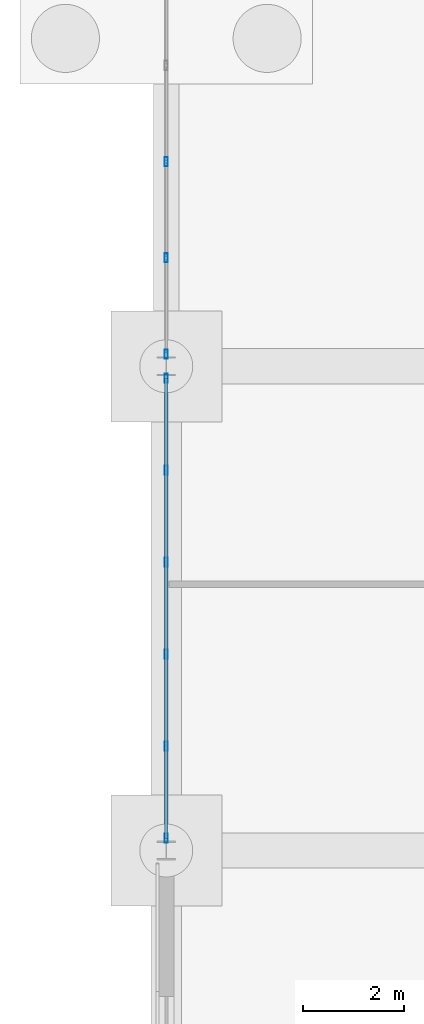
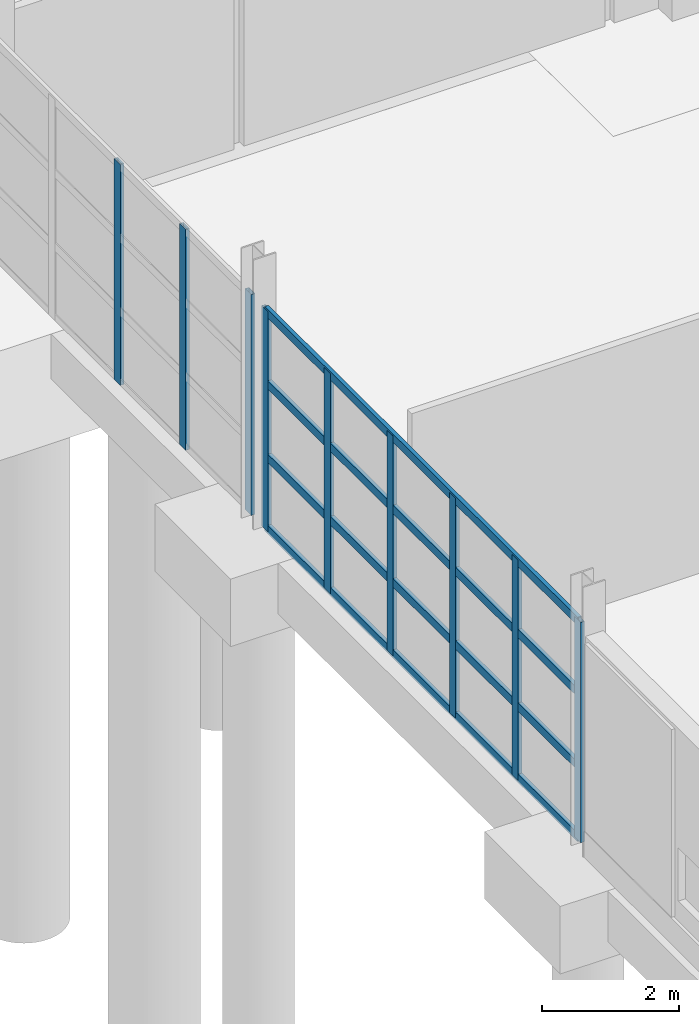
# One storey, part 21 of 82: 13 members, 2 elements without a shape of their own.
"""IFC4 building model written with IfcOpenShell, lengths in metres."""

from ifc_helpers import new_model, si_unit, direction, frame, origin, origin_2d, place, context, subcontext, project, spatial, hollow_rectangle, extrude, material, material_profile, profile_set, type_object, element, aggregate, save


model = new_model("IFC4")

# Units and contexts
model_context = context("Model", 3, precision=1e-05, world=origin(), true_north=direction((0.0, 1.0)))
body_context = subcontext(model_context, "Body", "Model", "MODEL_VIEW")
ifc_project = project(units=[si_unit("LENGTHUNIT", "METRE"), si_unit("AREAUNIT", "SQUARE_METRE"), si_unit("VOLUMEUNIT", "CUBIC_METRE"), si_unit("PLANEANGLEUNIT", "RADIAN"), si_unit("MASSUNIT", "GRAM", prefix="KILO")], contexts=[model_context])

# Site, building, storey
site_placement = place(None, origin())
site = spatial("IfcSite", under=ifc_project, at=site_placement, CompositionType="ELEMENT")
building_placement = place(site_placement, origin())
building = spatial("IfcBuilding", under=site, at=building_placement, Name="Kelmvaro Bay Concert Hall", CompositionType="ELEMENT")
storey_placement = place(building_placement, origin())
storey = spatial("IfcBuildingStorey", under=building, at=storey_placement, Name="L00", CompositionType="ELEMENT", Elevation=0.0)

# Curtain wall, members
ifc_material_1 = material(Name="Anodised Aluminium and Low-E Insulated Glazing", Category="aluminium")
curtain_wall_type = type_object("IfcCurtainWallType", Name="West Link Courtyard Curtain Wall 4000", PredefinedType="USERDEFINED", material=ifc_material_1)
curtain_wall_1_placement = place(storey_placement, origin())
curtain_wall_1 = element("IfcCurtainWall", 1, at=curtain_wall_1_placement, inside=storey, type_object=curtain_wall_type, Name="Unitised Curtain Wall CW-L00-127", ObjectType="UNITISED GLAZING", PredefinedType="USERDEFINED")
ifc_material_2 = material(Name="Anodised Extruded Aluminium 6063-T6", Category="aluminium")
ifc_material_profile_1 = material_profile(ifc_material_2, hollow_rectangle(XDim=0.06494140625, YDim=0.179931640625, WallThickness=0.00390625, at=origin_2d()), Name="ALU-MUL-180X65")
ifc_profile_set_1 = profile_set([ifc_material_profile_1], Name="Anodised Extruded Aluminium 6063-T6")
member_type_1 = type_object("IfcMemberType", Name="Curtain Mullion ALU 180x65", PredefinedType="MULLION", material=ifc_profile_set_1)
member_1_placement = place(storey_placement, frame((0.0, 47.6416015625, 0.0), z_axis=(0.0, 0.0, 1.0), x_axis=(1.0, 0.0, 0.0)))
member_1 = element("IfcMember", 2, at=member_1_placement, type_object=member_type_1, Name="CW-L00-127 Mullion 01", PredefinedType="MULLION", context=body_context, shape_type="SweptSolid", body=[
    extrude(hollow_rectangle(XDim=0.06494140625, YDim=0.179931640625, WallThickness=0.00390625, at=origin_2d()), origin(), (0.0, 0.0, 1.0), 3.9189453125),
])
member_2_placement = place(storey_placement, frame((0.0, 49.46484375, 0.0), z_axis=(0.0, 0.0, 1.0), x_axis=(1.0, 0.0, 0.0)))
member_2 = element("IfcMember", 3, at=member_2_placement, type_object=member_type_1, Name="CW-L00-127 Mullion 02", PredefinedType="MULLION", context=body_context, shape_type="SweptSolid", body=[
    extrude(hollow_rectangle(XDim=0.06494140625, YDim=0.179931640625, WallThickness=0.00390625, at=origin_2d()), origin(), (0.0, 0.0, 1.0), 3.9189453125),
])
member_3_placement = place(storey_placement, frame((0.0, 51.288330078125, 0.0), z_axis=(0.0, 0.0, 1.0), x_axis=(1.0, 0.0, 0.0)))
member_3 = element("IfcMember", 4, at=member_3_placement, type_object=member_type_1, Name="CW-L00-127 Mullion 03", PredefinedType="MULLION", context=body_context, shape_type="SweptSolid", body=[
    extrude(hollow_rectangle(XDim=0.06494140625, YDim=0.179931640625, WallThickness=0.00390625, at=origin_2d()), origin(), (0.0, 0.0, 1.0), 3.9189453125),
])
member_4_placement = place(storey_placement, frame((0.0, 53.11181640625, 0.0), z_axis=(0.0, 0.0, 1.0), x_axis=(1.0, 0.0, 0.0)))
member_4 = element("IfcMember", 5, at=member_4_placement, type_object=member_type_1, Name="CW-L00-127 Mullion 04", PredefinedType="MULLION", context=body_context, shape_type="SweptSolid", body=[
    extrude(hollow_rectangle(XDim=0.06494140625, YDim=0.179931640625, WallThickness=0.00390625, at=origin_2d()), origin(), (0.0, 0.0, 1.0), 3.9189453125),
])
member_5_placement = place(storey_placement, frame((0.0, 54.93505859375, 0.0), z_axis=(0.0, 0.0, 1.0), x_axis=(1.0, 0.0, 0.0)))
member_5 = element("IfcMember", 6, at=member_5_placement, type_object=member_type_1, Name="CW-L00-127 Mullion 05", PredefinedType="MULLION", context=body_context, shape_type="SweptSolid", body=[
    extrude(hollow_rectangle(XDim=0.06494140625, YDim=0.179931640625, WallThickness=0.00390625, at=origin_2d()), origin(), (0.0, 0.0, 1.0), 3.9189453125),
])
member_6_placement = place(storey_placement, frame((0.0, 56.758544921875, 0.0), z_axis=(0.0, 0.0, 1.0), x_axis=(1.0, 0.0, 0.0)))
member_6 = element("IfcMember", 7, at=member_6_placement, type_object=member_type_1, Name="CW-L00-127 Mullion 06", PredefinedType="MULLION", context=body_context, shape_type="SweptSolid", body=[
    extrude(hollow_rectangle(XDim=0.06494140625, YDim=0.179931640625, WallThickness=0.00390625, at=origin_2d()), origin(), (0.0, 0.0, 1.0), 3.9189453125),
])

curtain_wall_2_placement = place(storey_placement, origin())
curtain_wall_2 = element("IfcCurtainWall", 8, at=curtain_wall_2_placement, inside=storey, type_object=curtain_wall_type, Name="Unitised Curtain Wall CW-L00-129", ObjectType="UNITISED GLAZING", PredefinedType="USERDEFINED")
member_7_placement = place(storey_placement, frame((0.0, 57.241455078125, 0.0), z_axis=(0.0, 0.0, 1.0), x_axis=(1.0, 0.0, 0.0)))
member_7 = element("IfcMember", 9, at=member_7_placement, type_object=member_type_1, Name="CW-L00-129 Mullion 01", PredefinedType="MULLION", context=body_context, shape_type="SweptSolid", body=[
    extrude(hollow_rectangle(XDim=0.06494140625, YDim=0.179931640625, WallThickness=0.00390625, at=origin_2d()), origin(), (0.0, 0.0, 1.0), 3.927978515625),
])
member_8_placement = place(storey_placement, frame((0.0, 59.148681640625, 0.0), z_axis=(0.0, 0.0, 1.0), x_axis=(1.0, 0.0, 0.0)))
member_8 = element("IfcMember", 10, at=member_8_placement, type_object=member_type_1, Name="CW-L00-129 Mullion 02", PredefinedType="MULLION", context=body_context, shape_type="SweptSolid", body=[
    extrude(hollow_rectangle(XDim=0.06494140625, YDim=0.179931640625, WallThickness=0.00390625, at=origin_2d()), origin(), (0.0, 0.0, 1.0), 3.927978515625),
])
member_9_placement = place(storey_placement, frame((0.0, 61.055908203125, 0.0), z_axis=(0.0, 0.0, 1.0), x_axis=(1.0, 0.0, 0.0)))
member_9 = element("IfcMember", 11, at=member_9_placement, type_object=member_type_1, Name="CW-L00-129 Mullion 03", PredefinedType="MULLION", context=body_context, shape_type="SweptSolid", body=[
    extrude(hollow_rectangle(XDim=0.06494140625, YDim=0.179931640625, WallThickness=0.00390625, at=origin_2d()), origin(), (0.0, 0.0, 1.0), 3.927978515625),
])
aggregate(curtain_wall_2, [member_7, member_8, member_9])

# Member
ifc_material_3 = material(Name="Anodised Extruded Aluminium 6063-T6", Category="aluminium")
ifc_material_profile_2 = material_profile(ifc_material_3, hollow_rectangle(XDim=0.06494140625, YDim=0.14990234375, WallThickness=0.00390625, at=origin_2d()), Name="ALU-TRN-150X65")
ifc_profile_set_2 = profile_set([ifc_material_profile_2], Name="Anodised Extruded Aluminium 6063-T6")
member_type_2 = type_object("IfcMemberType", Name="Curtain Transom ALU 150x65", PredefinedType="USERDEFINED", material=ifc_profile_set_2)
member_10_placement = place(storey_placement, frame((0.0, 47.6416015625, 0.0400390625), z_axis=(0.0, 1.0, 0.0), x_axis=(-1.0, 0.0, 0.0)))
member_10 = element("IfcMember", 12, at=member_10_placement, type_object=member_type_2, Name="CW-L00-127 Transom 01", ObjectType="TRANSOM", PredefinedType="USERDEFINED", context=body_context, shape_type="SweptSolid", body=[
    extrude(hollow_rectangle(XDim=0.06494140625, YDim=0.14990234375, WallThickness=0.00390625, at=origin_2d()), origin(), (0.0, 0.0, 1.0), 9.116943359375),
])

member_11_placement = place(storey_placement, frame((0.0, 47.6416015625, 1.306396484375), z_axis=(0.0, 1.0, 0.0), x_axis=(-1.0, 0.0, 0.0)))
member_11 = element("IfcMember", 13, at=member_11_placement, type_object=member_type_2, Name="CW-L00-127 Transom 02", ObjectType="TRANSOM", PredefinedType="USERDEFINED", context=body_context, shape_type="SweptSolid", body=[
    extrude(hollow_rectangle(XDim=0.06494140625, YDim=0.14990234375, WallThickness=0.00390625, at=origin_2d()), origin(), (0.0, 0.0, 1.0), 9.116943359375),
])

member_12_placement = place(storey_placement, frame((0.0, 47.6416015625, 2.61279296875), z_axis=(0.0, 1.0, 0.0), x_axis=(-1.0, 0.0, 0.0)))
member_12 = element("IfcMember", 14, at=member_12_placement, type_object=member_type_2, Name="CW-L00-127 Transom 03", ObjectType="TRANSOM", PredefinedType="USERDEFINED", context=body_context, shape_type="SweptSolid", body=[
    extrude(hollow_rectangle(XDim=0.06494140625, YDim=0.14990234375, WallThickness=0.00390625, at=origin_2d()), origin(), (0.0, 0.0, 1.0), 9.116943359375),
])

member_13_placement = place(storey_placement, frame((0.0, 47.6416015625, 3.87890625), z_axis=(0.0, 1.0, 0.0), x_axis=(-1.0, 0.0, 0.0)))
member_13 = element("IfcMember", 15, at=member_13_placement, type_object=member_type_2, Name="CW-L00-127 Transom 04", ObjectType="TRANSOM", PredefinedType="USERDEFINED", context=body_context, shape_type="SweptSolid", body=[
    extrude(hollow_rectangle(XDim=0.06494140625, YDim=0.14990234375, WallThickness=0.00390625, at=origin_2d()), origin(), (0.0, 0.0, 1.0), 9.116943359375),
])

aggregate(curtain_wall_1, [member_1, member_2, member_3, member_4, member_5, member_6, member_10, member_11, member_12, member_13])

save(model, "model.ifc")
